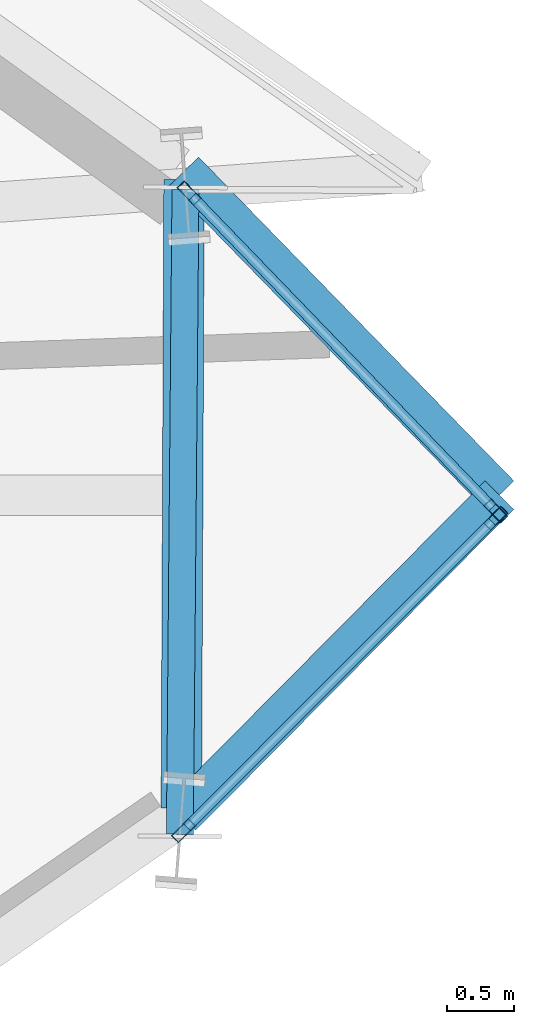
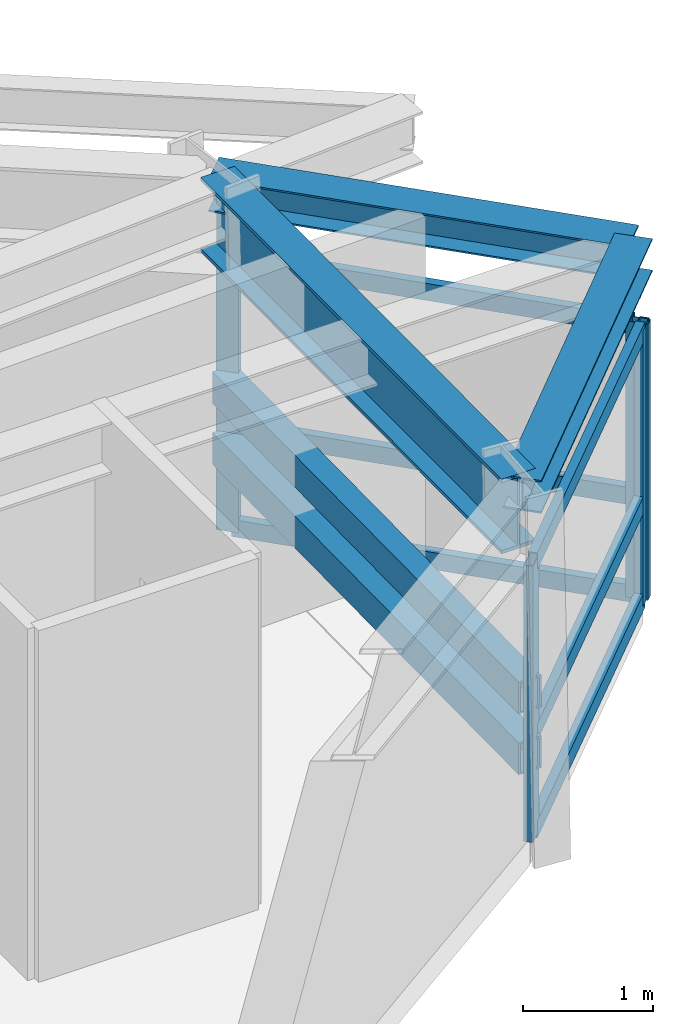
# One storey, part 8 of 24: 12 members, 3 beams, 2 elements without a shape of their own.
"""IFC4 building model written with IfcOpenShell, lengths in metres."""

from ifc_helpers import new_model, si_unit, direction, frame, origin, origin_2d, place, context, subcontext, project, spatial, hollow_rectangle, i_section, extrude, source, transform, mapped, material, material_profile, profile_set, type_object, element, aggregate, save


model = new_model("IFC4")

# Units and contexts
model_context = context("Model", 3, precision=1e-05, world=origin(), true_north=direction((0.0, 1.0)))
body_context = subcontext(model_context, "Body", "Model", "MODEL_VIEW")
ifc_project = project(units=[si_unit("LENGTHUNIT", "METRE"), si_unit("AREAUNIT", "SQUARE_METRE"), si_unit("VOLUMEUNIT", "CUBIC_METRE"), si_unit("PLANEANGLEUNIT", "RADIAN"), si_unit("MASSUNIT", "GRAM", prefix="KILO")], contexts=[model_context])

# Site, building, storey
site_placement = place(None, origin())
site = spatial("IfcSite", under=ifc_project, at=site_placement, CompositionType="ELEMENT")
building_placement = place(site_placement, origin())
building = spatial("IfcBuilding", under=site, at=building_placement, Name="Olszyna Solenne Hotel", CompositionType="ELEMENT")
storey_placement = place(building_placement, frame((0.0, 0.0, 36.39990234375)))
storey = spatial("IfcBuildingStorey", under=building, at=storey_placement, Name="L08", CompositionType="ELEMENT", Elevation=36.39990234375)

# Beams
ifc_material_1 = material(Name="Steel S355J2", Category="steel")
ifc_material_profile_1 = material_profile(ifc_material_1, i_section(OverallWidth=0.300048828125, OverallDepth=0.31005859375, WebThickness=0.009033203125, FlangeThickness=0.015380859375, at=origin_2d()), Name="HEA 320", Category="load-bearing")
ifc_profile_set_1 = profile_set([ifc_material_profile_1], Name="Steel S355J2")
beam_type_1 = type_object("IfcBeamType", Name="BM-G3", PredefinedType="BEAM", material=ifc_profile_set_1)
shared_shape_1 = source(origin(), body_context, "Body", "SweptSolid", [
    extrude(i_section(OverallWidth=0.300048828125, OverallDepth=0.31005859375, WebThickness=0.009033203125, FlangeThickness=0.015380859375, at=origin_2d()), origin(), (0.0, 0.0, 1.0), 3.353515625),
])
for number, where, z_axis, x_axis, name in (
    (1, (68.934326171875, 24.244873046875, 3.14501953125), (0.703859624923, 0.710339093957, 0.0), (-0.710339093957, 0.703859624923, 0.0), "Prism side edge beam BM-G3 B-L08-0281"),
    (2, (68.955078125, 29.029541015625, 3.14501953125), (0.697653069872, -0.716435757133, 0.0), (0.716435757133, 0.697653069872, 0.0), "Prism side edge beam BM-G3 B-L08-0282"),
):
    element("IfcBeam", number, at=place(storey_placement, frame(where, z_axis=z_axis, x_axis=x_axis)), inside=storey, type_object=beam_type_1, Name=name, PredefinedType="BEAM", context=body_context, shape_type="MappedRepresentation", body=[
        mapped(shared_shape_1, transform((0.0, 0.0, 0.0), x_axis=(1.0, 0.0, 0.0), y_axis=(0.0, 1.0, 0.0), z_axis=(0.0, 0.0, 1.0), scale=1.0)),
    ])

# Members
ifc_material_profile_2 = material_profile(ifc_material_1, hollow_rectangle(XDim=0.199951171875, YDim=0.300048828125, WallThickness=0.01611328125, at=origin_2d()), Name="RHS 300x200x16", Category="load-bearing")
ifc_profile_set_2 = profile_set([ifc_material_profile_2], Name="Steel S355J2")
member_type_1 = type_object("IfcMemberType", Name="CH-PR1", PredefinedType="CHORD", material=ifc_profile_set_2)
shared_shape_2 = source(origin(), body_context, "Body", "SweptSolid", [
    extrude(hollow_rectangle(XDim=0.199951171875, YDim=0.300048828125, WallThickness=0.01611328125, at=origin_2d()), origin(), (0.0, 0.0, 1.0), 4.78466796875),
])
for number, where, z_axis, x_axis, name in (
    (3, (68.923583984375, 24.10986328125, 1.35009765625), (0.008725493208, 0.99996193216, 0.0), (-0.99996193216, 0.008725493208, 0.0), "Glass-prism tie chord CH-PR1 M-L08-PR1"),
    (4, (68.923583984375, 24.10986328125, 0.780029296875), (0.008725493208, 0.99996193216, 0.0), (-0.99996193216, 0.008725493208, 0.0), "Glass-prism tie chord CH-PR1 M-L08-PR2"),
):
    element("IfcMember", number, at=place(storey_placement, frame(where, z_axis=z_axis, x_axis=x_axis)), inside=storey, type_object=member_type_1, Name=name, PredefinedType="CHORD", context=body_context, shape_type="MappedRepresentation", body=[
        mapped(shared_shape_2, transform((0.0, 0.0, 0.0), x_axis=(1.0, 0.0, 0.0), y_axis=(0.0, 1.0, 0.0), z_axis=(0.0, 0.0, 1.0), scale=1.0)),
    ])

# Beam
ifc_material_profile_3 = material_profile(ifc_material_1, i_section(OverallWidth=0.300048828125, OverallDepth=0.699951171875, WebThickness=0.01708984375, FlangeThickness=0.031982421875, at=origin_2d()), Name="HEB 700", Category="load-bearing")
ifc_profile_set_3 = profile_set([ifc_material_profile_3], Name="Steel S355J2")
beam_type_2 = type_object("IfcBeamType", Name="BM-S1", PredefinedType="BEAM", material=ifc_profile_set_3)
shared_shape_3 = source(origin(), body_context, "Body", "SweptSolid", [
    extrude(i_section(OverallWidth=0.300048828125, OverallDepth=0.699951171875, WebThickness=0.01708984375, FlangeThickness=0.031982421875, at=origin_2d()), origin(), (0.0, 0.0, 1.0), 4.66455078125),
])
beam_placement = place(storey_placement, frame((68.9345703125, 24.304931640625, 2.9501953125), z_axis=(0.004291805966, 0.999990790158, 0.0), x_axis=(-0.999990790158, 0.004291805966, 0.0)))
element("IfcBeam", 5, at=beam_placement, inside=storey, type_object=beam_type_2, Name="Perimeter spandrel beam BM-S1 B-L08-0260", PredefinedType="BEAM", context=body_context, shape_type="MappedRepresentation", body=[
    mapped(shared_shape_3, transform((0.0, 0.0, 0.0), x_axis=(1.0, 0.0, 0.0), y_axis=(0.0, 1.0, 0.0), z_axis=(0.0, 0.0, 1.0), scale=1.0)),
])

# Curtain wall, members
ifc_material_2 = material(Name="Anodised bronze aluminium", Category="aluminium")
curtain_wall_type = type_object("IfcCurtainWallType", Name="CW-SYS-5", PredefinedType="NOTDEFINED", material=ifc_material_2)
curtain_wall_1_placement = place(storey_placement, origin())
curtain_wall_1 = element("IfcCurtainWall", 6, at=curtain_wall_1_placement, inside=storey, type_object=curtain_wall_type, Name="Unitised curtain wall CW-SYS-5 CW-L08-03", PredefinedType="NOTDEFINED")
ifc_material_profile_4 = material_profile(ifc_material_2, hollow_rectangle(XDim=0.074951171875, YDim=0.179931640625, WallThickness=0.00439453125, at=origin_2d()), Name="MULL 180x75x4.5", Category="load-bearing")
ifc_profile_set_4 = profile_set([ifc_material_profile_4], Name="Anodised bronze aluminium")
member_type_2 = type_object("IfcMemberType", Name="CW-M2", PredefinedType="MULLION", material=ifc_profile_set_4)
shared_shape_4 = source(origin(), body_context, "Body", "SweptSolid", [
    extrude(hollow_rectangle(XDim=0.074951171875, YDim=0.179931640625, WallThickness=0.00439453125, at=origin_2d()), origin(), (0.0, 0.0, 1.0), 2.592041015625),
])
member_1_placement = place(storey_placement, frame((68.991455078125, 28.867431640625, 0.0), z_axis=(0.0, 0.0, 1.0), x_axis=(0.719461574581, 0.694532247416, 0.0)))
member_1 = element("IfcMember", 7, at=member_1_placement, type_object=member_type_2, Name="Curtain-wall mullion CW-M2 CM-L08-03-01", PredefinedType="MULLION", context=body_context, shape_type="MappedRepresentation", body=[
    mapped(shared_shape_4, transform((0.0, 0.0, 0.0), x_axis=(1.0, 0.0, 0.0), y_axis=(0.0, 1.0, 0.0), z_axis=(0.0, 0.0, 1.0), scale=1.0)),
])
member_2_placement = place(storey_placement, frame((71.268310546875, 26.5087890625, 0.0), z_axis=(0.0, 0.0, 1.0), x_axis=(0.719461574581, 0.694532247416, 0.0)))
member_2 = element("IfcMember", 8, at=member_2_placement, type_object=member_type_2, Name="Curtain-wall mullion CW-M2 CM-L08-03-02", PredefinedType="MULLION", context=body_context, shape_type="MappedRepresentation", body=[
    mapped(shared_shape_4, transform((0.0, 0.0, 0.0), x_axis=(1.0, 0.0, 0.0), y_axis=(0.0, 1.0, 0.0), z_axis=(0.0, 0.0, 1.0), scale=1.0)),
])

curtain_wall_2_placement = place(storey_placement, origin())
curtain_wall_2 = element("IfcCurtainWall", 9, at=curtain_wall_2_placement, inside=storey, type_object=curtain_wall_type, Name="Unitised curtain wall CW-SYS-5 CW-L08-04", PredefinedType="NOTDEFINED")
member_3_placement = place(storey_placement, frame((68.9501953125, 24.136474609375, 0.0), z_axis=(0.0, 0.0, 1.0), x_axis=(-0.707270772163, 0.706942752169, 0.0)))
member_3 = element("IfcMember", 10, at=member_3_placement, type_object=member_type_2, Name="Curtain-wall mullion CW-M2 CM-L08-04-01", PredefinedType="MULLION", context=body_context, shape_type="MappedRepresentation", body=[
    mapped(shared_shape_4, transform((0.0, 0.0, 0.0), x_axis=(1.0, 0.0, 0.0), y_axis=(0.0, 1.0, 0.0), z_axis=(0.0, 0.0, 1.0), scale=1.0)),
])
member_4_placement = place(storey_placement, frame((71.267822265625, 26.455078125, 0.0), z_axis=(0.0, 0.0, 1.0), x_axis=(-0.707270772163, 0.706942752169, 0.0)))
member_4 = element("IfcMember", 11, at=member_4_placement, type_object=member_type_2, Name="Curtain-wall mullion CW-M2 CM-L08-04-02", PredefinedType="MULLION", context=body_context, shape_type="MappedRepresentation", body=[
    mapped(shared_shape_4, transform((0.0, 0.0, 0.0), x_axis=(1.0, 0.0, 0.0), y_axis=(0.0, 1.0, 0.0), z_axis=(0.0, 0.0, 1.0), scale=1.0)),
])

# Member
ifc_material_profile_5 = material_profile(ifc_material_2, hollow_rectangle(XDim=0.074951171875, YDim=0.159912109375, WallThickness=0.00390625, at=origin_2d()), Name="TRAN 160x75x4", Category="load-bearing")
ifc_profile_set_5 = profile_set([ifc_material_profile_5], Name="Anodised bronze aluminium")
member_type_3 = type_object("IfcMemberType", Name="CW-T1", PredefinedType="USERDEFINED", material=ifc_profile_set_5)
shared_shape_5 = source(origin(), body_context, "Body", "SweptSolid", [
    extrude(hollow_rectangle(XDim=0.074951171875, YDim=0.159912109375, WallThickness=0.00390625, at=origin_2d()), origin(), (0.0, 0.0, 1.0), 3.20361328125),
])
member_5_placement = place(storey_placement, frame((69.017333984375, 28.84033203125, 0.03759765625), z_axis=(0.694575472749, -0.719419844497, 0.0), x_axis=(0.719419844497, 0.694575472749, 0.0)))
member_5 = element("IfcMember", 12, at=member_5_placement, type_object=member_type_3, Name="Curtain-wall transom CW-T1 CT-L08-03-01", ObjectType="TRANSOM", PredefinedType="USERDEFINED", context=body_context, shape_type="MappedRepresentation", body=[
    mapped(shared_shape_5, transform((0.0, 0.0, 0.0), x_axis=(1.0, 0.0, 0.0), y_axis=(0.0, 1.0, 0.0), z_axis=(0.0, 0.0, 1.0), scale=1.0)),
])

member_6_placement = place(storey_placement, frame((69.017333984375, 28.84033203125, 0.9501953125), z_axis=(0.694575472749, -0.719419844497, 0.0), x_axis=(0.719419844497, 0.694575472749, 0.0)))
member_6 = element("IfcMember", 13, at=member_6_placement, type_object=member_type_3, Name="Curtain-wall transom CW-T1 CT-L08-03-02", ObjectType="TRANSOM", PredefinedType="USERDEFINED", context=body_context, shape_type="MappedRepresentation", body=[
    mapped(shared_shape_5, transform((0.0, 0.0, 0.0), x_axis=(1.0, 0.0, 0.0), y_axis=(0.0, 1.0, 0.0), z_axis=(0.0, 0.0, 1.0), scale=1.0)),
])

member_7_placement = place(storey_placement, frame((69.017333984375, 28.84033203125, 2.5546875), z_axis=(0.694575472749, -0.719419844497, 0.0), x_axis=(0.719419844497, 0.694575472749, 0.0)))
member_7 = element("IfcMember", 14, at=member_7_placement, type_object=member_type_3, Name="Curtain-wall transom CW-T1 CT-L08-03-03", ObjectType="TRANSOM", PredefinedType="USERDEFINED", context=body_context, shape_type="MappedRepresentation", body=[
    mapped(shared_shape_5, transform((0.0, 0.0, 0.0), x_axis=(1.0, 0.0, 0.0), y_axis=(0.0, 1.0, 0.0), z_axis=(0.0, 0.0, 1.0), scale=1.0)),
])

aggregate(curtain_wall_1, [member_1, member_2, member_5, member_6, member_7])

member_8_placement = place(storey_placement, frame((68.976806640625, 24.162841796875, 0.03759765625), z_axis=(0.706916232602, 0.707297278437, 0.0), x_axis=(-0.707297278437, 0.706916232602, 0.0)))
member_8 = element("IfcMember", 15, at=member_8_placement, type_object=member_type_3, Name="Curtain-wall transom CW-T1 CT-L08-04-01", ObjectType="TRANSOM", PredefinedType="USERDEFINED", context=body_context, shape_type="MappedRepresentation", body=[
    mapped(shared_shape_5, transform((0.0, 0.0, 0.0), x_axis=(1.0, 0.0, 0.0), y_axis=(0.0, 1.0, 0.0), z_axis=(0.0, 0.0, 1.0), scale=1.0)),
])

member_9_placement = place(storey_placement, frame((68.976806640625, 24.162841796875, 0.9501953125), z_axis=(0.706916232602, 0.707297278437, 0.0), x_axis=(-0.707297278437, 0.706916232602, 0.0)))
member_9 = element("IfcMember", 16, at=member_9_placement, type_object=member_type_3, Name="Curtain-wall transom CW-T1 CT-L08-04-02", ObjectType="TRANSOM", PredefinedType="USERDEFINED", context=body_context, shape_type="MappedRepresentation", body=[
    mapped(shared_shape_5, transform((0.0, 0.0, 0.0), x_axis=(1.0, 0.0, 0.0), y_axis=(0.0, 1.0, 0.0), z_axis=(0.0, 0.0, 1.0), scale=1.0)),
])

member_10_placement = place(storey_placement, frame((68.976806640625, 24.162841796875, 2.5546875), z_axis=(0.706916232602, 0.707297278437, 0.0), x_axis=(-0.707297278437, 0.706916232602, 0.0)))
member_10 = element("IfcMember", 17, at=member_10_placement, type_object=member_type_3, Name="Curtain-wall transom CW-T1 CT-L08-04-03", ObjectType="TRANSOM", PredefinedType="USERDEFINED", context=body_context, shape_type="MappedRepresentation", body=[
    mapped(shared_shape_5, transform((0.0, 0.0, 0.0), x_axis=(1.0, 0.0, 0.0), y_axis=(0.0, 1.0, 0.0), z_axis=(0.0, 0.0, 1.0), scale=1.0)),
])

aggregate(curtain_wall_2, [member_3, member_4, member_8, member_9, member_10])

save(model, "model.ifc")
